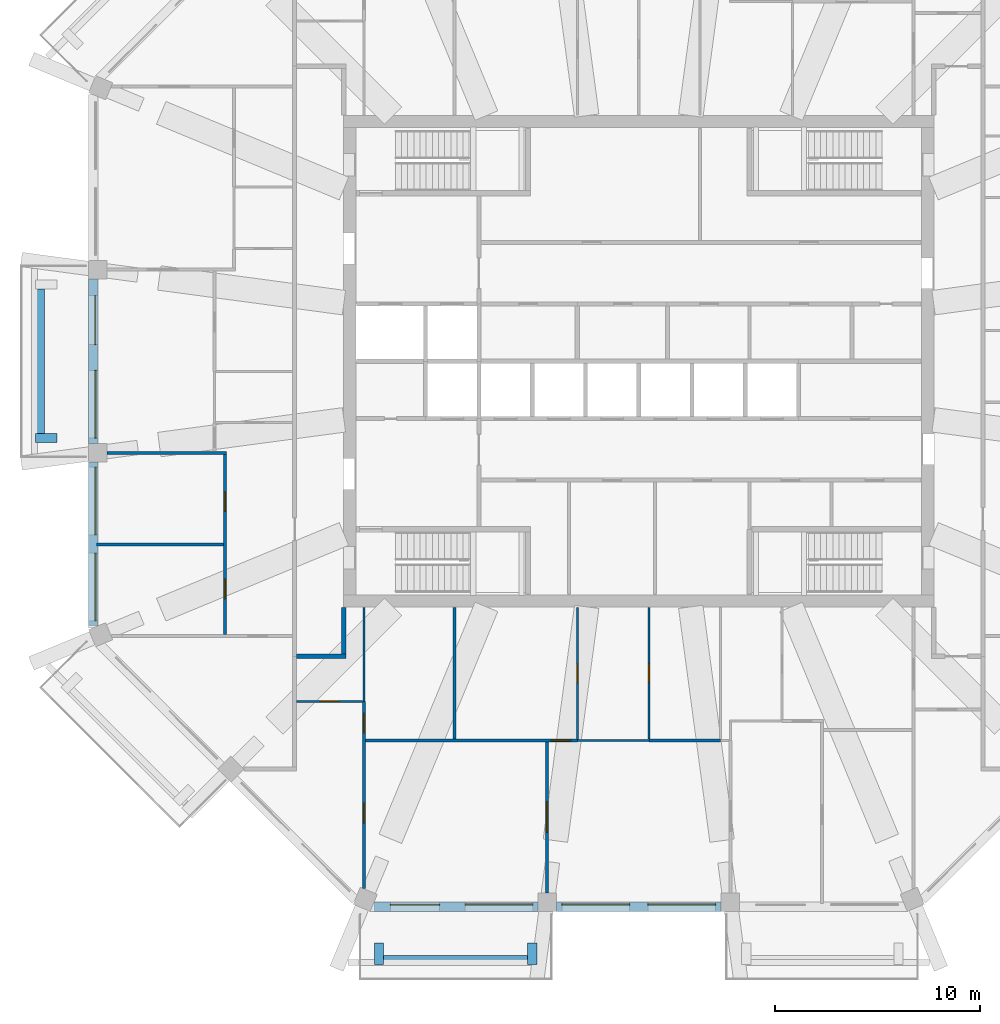
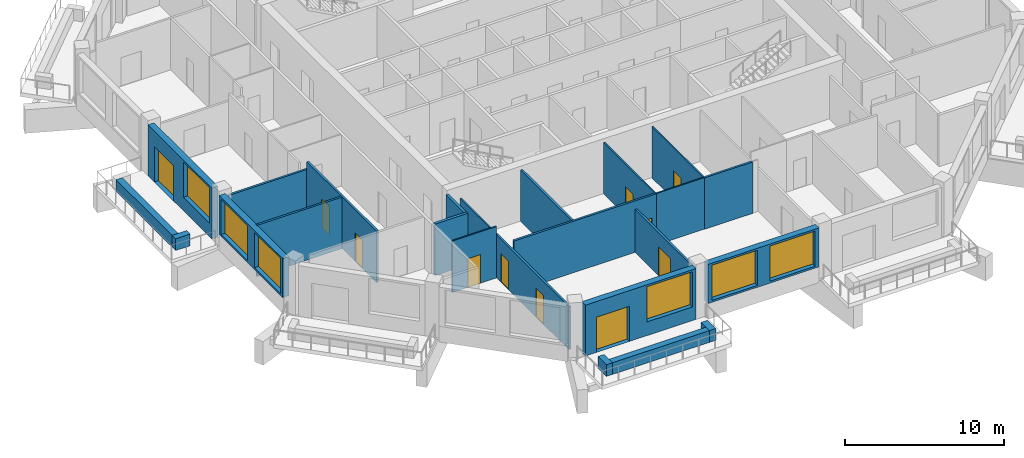
# One storey, part 3 of 12: 24 walls, 11 doors, 6 windows, 17 openings.
"""IFC4 building model written with IfcOpenShell, lengths in metres."""

from ifc_helpers import new_model, si_unit, direction, frame, frame_2d, origin, place, context, subcontext, project, spatial, rectangle, extrude, material, layer, layer_set, type_object, element, fill, save


model = new_model("IFC4")

# Units and contexts
model_context = context("Model", 3, precision=1e-05, world=origin(), true_north=direction((0.0, 1.0)))
body_context = subcontext(model_context, "Body", "Model", "MODEL_VIEW")
ifc_project = project(units=[si_unit("LENGTHUNIT", "METRE"), si_unit("AREAUNIT", "SQUARE_METRE"), si_unit("VOLUMEUNIT", "CUBIC_METRE"), si_unit("PLANEANGLEUNIT", "RADIAN"), si_unit("MASSUNIT", "GRAM", prefix="KILO")], contexts=[model_context])

# Site, building, storey
site_placement = place(None, origin())
site = spatial("IfcSite", under=ifc_project, at=site_placement, CompositionType="ELEMENT")
building_placement = place(site_placement, origin())
building = spatial("IfcBuilding", under=site, at=building_placement, Name="Msitu Wima Residences", CompositionType="ELEMENT")
storey_placement = place(building_placement, frame((0.0, 0.0, 213.89990234375)))
storey = spatial("IfcBuildingStorey", under=building, at=storey_placement, Name="L49", CompositionType="ELEMENT", Elevation=213.89990234375)

# Walls
ifc_material_1 = material(Name="Facing brick")
ifc_layer_1 = layer(ifc_material_1, 0.06494140625, Name="Facing brick")
ifc_material_2 = material(Name="Concrete C40/50", Category="concrete")
ifc_layer_2 = layer(ifc_material_2, 0.156005859375, Name="Concrete C40/50")
ifc_material_3 = material(Name="Waterproofing membrane")
ifc_layer_3 = layer(ifc_material_3, 0.00390625, Name="Waterproofing membrane")
ifc_material_4 = material(Name="Planting soil and planting")
ifc_layer_4 = layer(ifc_material_4, 0.22509765625, Name="Planting soil and planting")
ifc_layer_set_1 = layer_set([ifc_layer_1, ifc_layer_2, ifc_layer_3, ifc_layer_4], Name="Concrete C40/50")
wall_type_1 = type_object("IfcWallType", Name="Balcony planter PLANTER PL450", PredefinedType="USERDEFINED", material=ifc_layer_set_1)
wall_1_placement = place(storey_placement, frame((-29.22509765625, 3.5185546875, 0.0), z_axis=(0.0, 0.0, 1.0), x_axis=(0.0, -1.0, 0.0)))
element("IfcWall", 1, at=wall_1_placement, inside=storey, type_object=wall_type_1, Name="Balcony planter W1 L49", ObjectType="PLANTER", PredefinedType="USERDEFINED", context=body_context, shape_type="SweptSolid", body=[
    extrude(rectangle(XDim=7.037109375, YDim=0.449951171875, at=frame_2d((3.5185546875, 0.0))), origin(), (0.0, 0.0, 1.0), 0.900146484375),
])
wall_2_placement = place(storey_placement, frame((-28.39990234375, -3.74365234375, 0.0), z_axis=(0.0, 0.0, 1.0), x_axis=(-1.0, 0.0, 0.0)))
element("IfcWall", 2, at=wall_2_placement, inside=storey, type_object=wall_type_1, Name="Balcony planter W1 L49", ObjectType="PLANTER", PredefinedType="USERDEFINED", context=body_context, shape_type="SweptSolid", body=[
    extrude(rectangle(XDim=1.050048828125, YDim=0.449951171875, at=frame_2d((0.52490234375, 0.0))), origin(), (0.0, 0.0, 1.0), 0.900146484375),
])
wall_3_placement = place(storey_placement, frame((-12.455810546875, -29.22509765625, 0.0), z_axis=(0.0, 0.0, 1.0), x_axis=(1.0, 0.0, 0.0)))
element("IfcWall", 3, at=wall_3_placement, inside=storey, type_object=wall_type_1, Name="Balcony planter S0 L49", ObjectType="PLANTER", PredefinedType="USERDEFINED", context=body_context, shape_type="SweptSolid", body=[
    extrude(rectangle(XDim=7.037109375, YDim=0.449951171875, at=frame_2d((3.5185546875, 0.0))), origin(), (0.0, 0.0, 1.0), 0.900146484375),
])
for number, where, z_axis, x_axis, name in (
    (4, (-12.680908203125, -28.39990234375, 0.0), (0.0, 0.0, 1.0), (0.0, -1.0, 0.0), "Balcony planter S0 L49"),
    (5, (-5.193603515625, -28.39990234375, 0.0), (0.0, 0.0, 1.0), (0.0, -1.0, 0.0), "Balcony planter S0 L49"),
):
    element("IfcWall", number, at=place(storey_placement, frame(where, z_axis=z_axis, x_axis=x_axis)), inside=storey, type_object=wall_type_1, Name=name, ObjectType="PLANTER", PredefinedType="USERDEFINED", context=body_context, shape_type="SweptSolid", body=[
        extrude(rectangle(XDim=1.050048828125, YDim=0.449951171875, at=frame_2d((0.52490234375, 0.0))), origin(), (0.0, 0.0, 1.0), 0.900146484375),
    ])

# Wall, openings, door, window
ifc_material_5 = material(Name="Brick (red buff mix)", Category="masonry")
ifc_layer_5 = layer(ifc_material_5, 0.449951171875)
ifc_layer_set_2 = layer_set([ifc_layer_5], Name="Brick (red buff mix)")
wall_type_2 = type_object("IfcWallType", Name="Brick infill wall BW450", PredefinedType="SOLIDWALL", material=ifc_layer_set_2)
wall_4_placement = place(storey_placement, frame((-26.625, 4.0185546875, 0.0), z_axis=(0.0, 0.0, 1.0), x_axis=(0.0, -1.0, 0.0)))
wall_4 = element("IfcWall", 6, at=wall_4_placement, inside=storey, type_object=wall_type_2, Name="Brick infill wall L49 W1", PredefinedType="SOLIDWALL", context=body_context, shape_type="SweptSolid", body=[
    extrude(rectangle(XDim=8.037109375, YDim=0.449951171875, at=frame_2d((4.0185546875, 0.0))), origin(), (0.0, 0.0, 1.0), 3.900146484375),
])
opening_1_placement = place(wall_4_placement, frame((0.809326171875, 0.0, 0.0)))
opening_1 = element("IfcOpeningElement", 7, at=opening_1_placement, cuts=wall_4, Name="Opening D49.010", PredefinedType="OPENING", context=body_context, shape_type="SweptSolid", body=[
    extrude(rectangle(XDim=2.39990234375, YDim=2.699951171875, at=frame_2d((1.199951171875, 1.35009765625))), frame((0.0, 0.23486328125, 0.0), z_axis=(0.0, -1.0, 0.0), x_axis=(1.0, 0.0, 0.0)), (0.0, 0.0, 1.0), 0.469970703125),
])
opening_2_placement = place(wall_4_placement, frame((4.46875, 0.0, 1.050048828125)))
opening_2 = element("IfcOpeningElement", 8, at=opening_2_placement, cuts=wall_4, Name="Opening W49.028", PredefinedType="OPENING", context=body_context, shape_type="SweptSolid", body=[
    extrude(rectangle(XDim=3.300048828125, YDim=2.699951171875, at=frame_2d((1.64990234375, 1.35009765625))), frame((0.0, 0.23486328125, 0.0), z_axis=(0.0, -1.0, 0.0), x_axis=(1.0, 0.0, 0.0)), (0.0, 0.0, 1.0), 0.469970703125),
])
ifc_material_6 = material(Name="Anodised aluminium, bronze finish, clear low-emissivity double glazing", Category="aluminium")
door_type_1 = type_object("IfcDoorType", Name="Balcony door D2400x2700", OperationType="SLIDING_TO_LEFT", PredefinedType="DOOR", material=ifc_material_6)
door_1_placement = place(opening_1_placement, origin())
door_1 = element("IfcDoor", 9, at=door_1_placement, inside=storey, type_object=door_type_1, Name="Balcony door L49 W1", OperationType="SINGLE_SWING_LEFT", OverallHeight=2.699951171875, OverallWidth=2.39990234375, PredefinedType="DOOR", context=body_context, shape_type="SweptSolid", body=[
    extrude(rectangle(XDim=2.39990234375, YDim=2.699951171875, at=frame_2d((1.199951171875, 1.35009765625))), frame((0.0, 0.1298828125, 0.0), z_axis=(0.0, -1.0, 0.0), x_axis=(1.0, 0.0, 0.0)), (0.0, 0.0, 1.0), 0.050048828125),
])
fill(opening_1, door_1)
window_type = type_object("IfcWindowType", Name="Window W3300x2700", PartitioningType="DOUBLE_PANEL_VERTICAL", PredefinedType="WINDOW", material=ifc_material_6)
window_1_placement = place(opening_2_placement, origin())
window_1 = element("IfcWindow", 10, at=window_1_placement, inside=storey, type_object=window_type, Name="Window L49 W1.2", OverallHeight=2.699951171875, OverallWidth=3.300048828125, PartitioningType="SINGLE_PANEL", PredefinedType="WINDOW", context=body_context, shape_type="SweptSolid", body=[
    extrude(rectangle(XDim=3.300048828125, YDim=2.699951171875, at=frame_2d((1.64990234375, 1.35009765625))), frame((0.0, 0.135009765625, 0.0), z_axis=(0.0, -1.0, 0.0), x_axis=(1.0, 0.0, 0.0)), (0.0, 0.0, 1.0), 0.06005859375),
])
fill(opening_2, window_1)

# Wall, openings, windows
wall_5_placement = place(storey_placement, frame((-26.625, -4.918701171875, 0.900146484375), z_axis=(0.0, 0.0, 1.0), x_axis=(0.0, -1.0, 0.0)))
wall_5 = element("IfcWall", 11, at=wall_5_placement, inside=storey, type_object=wall_type_2, Name="Brick infill wall L49 W2", PredefinedType="SOLIDWALL", context=body_context, shape_type="SweptSolid", body=[
    extrude(rectangle(XDim=8.0, YDim=0.449951171875, at=frame_2d((4.0, 0.0))), origin(), (0.0, 0.0, 1.0), 3.0),
])
opening_3_placement = place(wall_5_placement, frame((0.25, 0.0, 0.14990234375)))
opening_3 = element("IfcOpeningElement", 12, at=opening_3_placement, cuts=wall_5, Name="Opening W49.029", PredefinedType="OPENING", context=body_context, shape_type="SweptSolid", body=[
    extrude(rectangle(XDim=3.300048828125, YDim=2.699951171875, at=frame_2d((1.64990234375, 1.35009765625))), frame((0.0, 0.23486328125, 0.0), z_axis=(0.0, -1.0, 0.0), x_axis=(1.0, 0.0, 0.0)), (0.0, 0.0, 1.0), 0.469970703125),
])
opening_4_placement = place(wall_5_placement, frame((4.4501953125, 0.0, 0.14990234375)))
opening_4 = element("IfcOpeningElement", 13, at=opening_4_placement, cuts=wall_5, Name="Opening W49.030", PredefinedType="OPENING", context=body_context, shape_type="SweptSolid", body=[
    extrude(rectangle(XDim=3.300048828125, YDim=2.699951171875, at=frame_2d((1.64990234375, 1.35009765625))), frame((0.0, 0.23486328125, 0.0), z_axis=(0.0, -1.0, 0.0), x_axis=(1.0, 0.0, 0.0)), (0.0, 0.0, 1.0), 0.469970703125),
])
window_2_placement = place(opening_3_placement, origin())
window_2 = element("IfcWindow", 14, at=window_2_placement, inside=storey, type_object=window_type, Name="Window L49 W2.1", OverallHeight=2.699951171875, OverallWidth=3.300048828125, PartitioningType="SINGLE_PANEL", PredefinedType="WINDOW", context=body_context, shape_type="SweptSolid", body=[
    extrude(rectangle(XDim=3.300048828125, YDim=2.699951171875, at=frame_2d((1.64990234375, 1.35009765625))), frame((0.0, 0.135009765625, 0.0), z_axis=(0.0, -1.0, 0.0), x_axis=(1.0, 0.0, 0.0)), (0.0, 0.0, 1.0), 0.06005859375),
])
fill(opening_3, window_2)
window_3_placement = place(opening_4_placement, origin())
window_3 = element("IfcWindow", 15, at=window_3_placement, inside=storey, type_object=window_type, Name="Window L49 W2.2", OverallHeight=2.699951171875, OverallWidth=3.300048828125, PartitioningType="SINGLE_PANEL", PredefinedType="WINDOW", context=body_context, shape_type="SweptSolid", body=[
    extrude(rectangle(XDim=3.300048828125, YDim=2.699951171875, at=frame_2d((1.64990234375, 1.35009765625))), frame((0.0, 0.135009765625, 0.0), z_axis=(0.0, -1.0, 0.0), x_axis=(1.0, 0.0, 0.0)), (0.0, 0.0, 1.0), 0.06005859375),
])
fill(opening_4, window_3)

# Wall, openings, door, window
wall_6_placement = place(storey_placement, frame((-12.918701171875, -26.625, 0.0), z_axis=(0.0, 0.0, 1.0), x_axis=(1.0, 0.0, 0.0)))
wall_6 = element("IfcWall", 16, at=wall_6_placement, inside=storey, type_object=wall_type_2, Name="Brick infill wall L49 S0", PredefinedType="SOLIDWALL", context=body_context, shape_type="SweptSolid", body=[
    extrude(rectangle(XDim=8.0, YDim=0.449951171875, at=frame_2d((4.0, 0.0))), origin(), (0.0, 0.0, 1.0), 3.900146484375),
])
opening_5_placement = place(wall_6_placement, frame((0.800048828125, 0.0, 0.0)))
opening_5 = element("IfcOpeningElement", 17, at=opening_5_placement, cuts=wall_6, Name="Opening D49.006", PredefinedType="OPENING", context=body_context, shape_type="SweptSolid", body=[
    extrude(rectangle(XDim=2.39990234375, YDim=2.699951171875, at=frame_2d((1.199951171875, 1.35009765625))), frame((0.0, 0.23486328125, 0.0), z_axis=(0.0, -1.0, 0.0), x_axis=(1.0, 0.0, 0.0)), (0.0, 0.0, 1.0), 0.469970703125),
])
opening_6_placement = place(wall_6_placement, frame((4.4501953125, 0.0, 1.050048828125)))
opening_6 = element("IfcOpeningElement", 18, at=opening_6_placement, cuts=wall_6, Name="Opening W49.016", PredefinedType="OPENING", context=body_context, shape_type="SweptSolid", body=[
    extrude(rectangle(XDim=3.300048828125, YDim=2.699951171875, at=frame_2d((1.64990234375, 1.35009765625))), frame((0.0, 0.23486328125, 0.0), z_axis=(0.0, -1.0, 0.0), x_axis=(1.0, 0.0, 0.0)), (0.0, 0.0, 1.0), 0.469970703125),
])
door_2_placement = place(opening_5_placement, origin())
door_2 = element("IfcDoor", 19, at=door_2_placement, inside=storey, type_object=door_type_1, Name="Balcony door L49 S0", OperationType="SINGLE_SWING_LEFT", OverallHeight=2.699951171875, OverallWidth=2.39990234375, PredefinedType="DOOR", context=body_context, shape_type="SweptSolid", body=[
    extrude(rectangle(XDim=2.39990234375, YDim=2.699951171875, at=frame_2d((1.199951171875, 1.35009765625))), frame((0.0, 0.1298828125, 0.0), z_axis=(0.0, -1.0, 0.0), x_axis=(1.0, 0.0, 0.0)), (0.0, 0.0, 1.0), 0.050048828125),
])
fill(opening_5, door_2)
window_4_placement = place(opening_6_placement, origin())
window_4 = element("IfcWindow", 20, at=window_4_placement, inside=storey, type_object=window_type, Name="Window L49 S0.2", OverallHeight=2.699951171875, OverallWidth=3.300048828125, PartitioningType="SINGLE_PANEL", PredefinedType="WINDOW", context=body_context, shape_type="SweptSolid", body=[
    extrude(rectangle(XDim=3.300048828125, YDim=2.699951171875, at=frame_2d((1.64990234375, 1.35009765625))), frame((0.0, 0.135009765625, 0.0), z_axis=(0.0, -1.0, 0.0), x_axis=(1.0, 0.0, 0.0)), (0.0, 0.0, 1.0), 0.06005859375),
])
fill(opening_6, window_4)

# Wall, openings, windows
wall_7_placement = place(storey_placement, frame((-4.0185546875, -26.625, 0.900146484375), z_axis=(0.0, 0.0, 1.0), x_axis=(1.0, 0.0, 0.0)))
wall_7 = element("IfcWall", 21, at=wall_7_placement, inside=storey, type_object=wall_type_2, Name="Brick infill wall L49 S1", PredefinedType="SOLIDWALL", context=body_context, shape_type="SweptSolid", body=[
    extrude(rectangle(XDim=8.037109375, YDim=0.449951171875, at=frame_2d((4.0185546875, 0.0))), origin(), (0.0, 0.0, 1.0), 3.0),
])
opening_7_placement = place(wall_7_placement, frame((0.2685546875, 0.0, 0.14990234375)))
opening_7 = element("IfcOpeningElement", 22, at=opening_7_placement, cuts=wall_7, Name="Opening W49.017", PredefinedType="OPENING", context=body_context, shape_type="SweptSolid", body=[
    extrude(rectangle(XDim=3.300048828125, YDim=2.699951171875, at=frame_2d((1.64990234375, 1.35009765625))), frame((0.0, 0.23486328125, 0.0), z_axis=(0.0, -1.0, 0.0), x_axis=(1.0, 0.0, 0.0)), (0.0, 0.0, 1.0), 0.469970703125),
])
opening_8_placement = place(wall_7_placement, frame((4.46875, 0.0, 0.14990234375)))
opening_8 = element("IfcOpeningElement", 23, at=opening_8_placement, cuts=wall_7, Name="Opening W49.018", PredefinedType="OPENING", context=body_context, shape_type="SweptSolid", body=[
    extrude(rectangle(XDim=3.300048828125, YDim=2.699951171875, at=frame_2d((1.64990234375, 1.35009765625))), frame((0.0, 0.23486328125, 0.0), z_axis=(0.0, -1.0, 0.0), x_axis=(1.0, 0.0, 0.0)), (0.0, 0.0, 1.0), 0.469970703125),
])
window_5_placement = place(opening_7_placement, origin())
window_5 = element("IfcWindow", 24, at=window_5_placement, inside=storey, type_object=window_type, Name="Window L49 S1.1", OverallHeight=2.699951171875, OverallWidth=3.300048828125, PartitioningType="SINGLE_PANEL", PredefinedType="WINDOW", context=body_context, shape_type="SweptSolid", body=[
    extrude(rectangle(XDim=3.300048828125, YDim=2.699951171875, at=frame_2d((1.64990234375, 1.35009765625))), frame((0.0, 0.135009765625, 0.0), z_axis=(0.0, -1.0, 0.0), x_axis=(1.0, 0.0, 0.0)), (0.0, 0.0, 1.0), 0.06005859375),
])
fill(opening_7, window_5)
window_6_placement = place(opening_8_placement, origin())
window_6 = element("IfcWindow", 25, at=window_6_placement, inside=storey, type_object=window_type, Name="Window L49 S1.2", OverallHeight=2.699951171875, OverallWidth=3.300048828125, PartitioningType="SINGLE_PANEL", PredefinedType="WINDOW", context=body_context, shape_type="SweptSolid", body=[
    extrude(rectangle(XDim=3.300048828125, YDim=2.699951171875, at=frame_2d((1.64990234375, 1.35009765625))), frame((0.0, 0.135009765625, 0.0), z_axis=(0.0, -1.0, 0.0), x_axis=(1.0, 0.0, 0.0)), (0.0, 0.0, 1.0), 0.06005859375),
])
fill(opening_8, window_6)

# Walls
ifc_material_7 = material(Name="Plaster")
ifc_layer_6 = layer(ifc_material_7, 0.011962890625, Name="Plaster")
ifc_material_8 = material(Name="Concrete blockwork", Category="masonry")
ifc_layer_7 = layer(ifc_material_8, 0.176025390625, Name="Concrete blockwork")
ifc_layer_8 = layer(ifc_material_7, 0.011962890625, Name="Plaster")
ifc_layer_set_3 = layer_set([ifc_layer_6, ifc_layer_7, ifc_layer_8], Name="Concrete blockwork")
wall_type_3 = type_object("IfcWallType", Name="Corridor wall FW200", PredefinedType="PARTITIONING", material=ifc_layer_set_3)
wall_8_placement = place(storey_placement, frame((-16.699951171875, -14.39990234375, 0.0), z_axis=(0.0, 0.0, 1.0), x_axis=(1.0, 0.0, 0.0)))
element("IfcWall", 26, at=wall_8_placement, inside=storey, type_object=wall_type_3, Name="Corridor wall", PredefinedType="PARTITIONING", context=body_context, shape_type="SweptSolid", body=[
    extrude(rectangle(XDim=2.39990234375, YDim=0.199951171875, at=frame_2d((1.199951171875, 0.0))), origin(), (0.0, 0.0, 1.0), 3.9501953125),
])
wall_9_placement = place(storey_placement, frame((-14.39990234375, -14.300048828125, 0.0), z_axis=(0.0, 0.0, 1.0), x_axis=(0.0, 1.0, 0.0)))
element("IfcWall", 27, at=wall_9_placement, inside=storey, type_object=wall_type_3, Name="Corridor wall", PredefinedType="PARTITIONING", context=body_context, shape_type="SweptSolid", body=[
    extrude(rectangle(XDim=2.27001953125, YDim=0.199951171875, at=frame_2d((1.135009765625, 0.0))), origin(), (0.0, 0.0, 1.0), 3.9501953125),
])
ifc_layer_9 = layer(ifc_material_7, 0.011962890625, Name="Plaster")
ifc_layer_10 = layer(ifc_material_8, 0.1259765625, Name="Concrete blockwork")
ifc_layer_11 = layer(ifc_material_7, 0.011962890625, Name="Plaster")
ifc_layer_set_4 = layer_set([ifc_layer_9, ifc_layer_10, ifc_layer_11], Name="Concrete blockwork")
wall_type_4 = type_object("IfcWallType", Name="Partition PW150", PredefinedType="PARTITIONING", material=ifc_layer_set_4)
wall_10_placement = place(storey_placement, frame((-26.455078125, -8.937255859375, 0.0), z_axis=(0.0, 0.0, 1.0), x_axis=(1.0, 0.0, 0.0)))
element("IfcWall", 28, at=wall_10_placement, inside=storey, type_object=wall_type_4, Name="Partition", PredefinedType="PARTITIONING", context=body_context, shape_type="SweptSolid", body=[
    extrude(rectangle(XDim=6.18017578125, YDim=0.14990234375, at=frame_2d((3.090087890625, 0.0))), origin(), (0.0, 0.0, 1.0), 3.9501953125),
])
wall_11_placement = place(storey_placement, frame((-25.949951171875, -4.46875, 0.0), z_axis=(0.0, 0.0, 1.0), x_axis=(1.0, 0.0, 0.0)))
element("IfcWall", 29, at=wall_11_placement, inside=storey, type_object=wall_type_4, Name="Partition", PredefinedType="PARTITIONING", context=body_context, shape_type="SweptSolid", body=[
    extrude(rectangle(XDim=5.824951171875, YDim=0.14990234375, at=frame_2d((2.91259765625, 0.0))), origin(), (0.0, 0.0, 1.0), 3.35009765625),
])

# Wall, openings, doors
wall_12_placement = place(storey_placement, frame((-20.199951171875, -13.330810546875, 0.0), z_axis=(0.0, 0.0, 1.0), x_axis=(0.0, 1.0, 0.0)))
wall_12 = element("IfcWall", 30, at=wall_12_placement, inside=storey, type_object=wall_type_4, Name="Partition", PredefinedType="PARTITIONING", context=body_context, shape_type="SweptSolid", body=[
    extrude(rectangle(XDim=8.787109375, YDim=0.14990234375, at=frame_2d((4.3935546875, 0.0))), origin(), (0.0, 0.0, 1.0), 3.9501953125),
])
opening_9_placement = place(wall_12_placement, frame((1.75, 0.0, 0.0)))
opening_9 = element("IfcOpeningElement", 31, at=opening_9_placement, cuts=wall_12, Name="Opening D49.039", PredefinedType="OPENING", context=body_context, shape_type="SweptSolid", body=[
    extrude(rectangle(XDim=0.949951171875, YDim=2.199951171875, at=frame_2d((0.47509765625, 1.10009765625))), frame((0.0, 0.0849609375, 0.0), z_axis=(0.0, -1.0, 0.0), x_axis=(1.0, 0.0, 0.0)), (0.0, 0.0, 1.0), 0.169921875),
])
opening_10_placement = place(wall_12_placement, frame((6.0, 0.0, 0.0)))
opening_10 = element("IfcOpeningElement", 32, at=opening_10_placement, cuts=wall_12, Name="Opening D49.040", PredefinedType="OPENING", context=body_context, shape_type="SweptSolid", body=[
    extrude(rectangle(XDim=0.949951171875, YDim=2.199951171875, at=frame_2d((0.47509765625, 1.10009765625))), frame((0.0, 0.0849609375, 0.0), z_axis=(0.0, -1.0, 0.0), x_axis=(1.0, 0.0, 0.0)), (0.0, 0.0, 1.0), 0.169921875),
])
ifc_material_9 = material(Name="Timber flush door", Category="wood")
door_type_2 = type_object("IfcDoorType", Name="Room door D12 950x2200", OperationType="SINGLE_SWING_LEFT", PredefinedType="DOOR", material=ifc_material_9)
door_3_placement = place(opening_9_placement, origin())
door_3 = element("IfcDoor", 33, at=door_3_placement, inside=storey, type_object=door_type_2, Name="Room door", OperationType="SINGLE_SWING_RIGHT", OverallHeight=2.199951171875, OverallWidth=0.949951171875, PredefinedType="DOOR", context=body_context, shape_type="SweptSolid", body=[
    extrude(rectangle(XDim=0.949951171875, YDim=2.199951171875, at=frame_2d((0.47509765625, 1.10009765625))), frame((0.0, 0.02490234375, 0.0), z_axis=(0.0, -1.0, 0.0), x_axis=(1.0, 0.0, 0.0)), (0.0, 0.0, 1.0), 0.050048828125),
])
fill(opening_9, door_3)
door_4_placement = place(opening_10_placement, origin())
door_4 = element("IfcDoor", 34, at=door_4_placement, inside=storey, type_object=door_type_2, Name="Room door", OperationType="SINGLE_SWING_LEFT", OverallHeight=2.199951171875, OverallWidth=0.949951171875, PredefinedType="DOOR", context=body_context, shape_type="SweptSolid", body=[
    extrude(rectangle(XDim=0.949951171875, YDim=2.199951171875, at=frame_2d((0.47509765625, 1.10009765625))), frame((0.0, 0.02490234375, 0.0), z_axis=(0.0, -1.0, 0.0), x_axis=(1.0, 0.0, 0.0)), (0.0, 0.0, 1.0), 0.050048828125),
])
fill(opening_10, door_4)

wall_13_placement = place(storey_placement, frame((-13.406005859375, -25.731201171875, 0.0), z_axis=(0.0, 0.0, 1.0), x_axis=(0.0, 1.0, 0.0)))
wall_13 = element("IfcWall", 35, at=wall_13_placement, inside=storey, type_object=wall_type_4, Name="Partition", PredefinedType="PARTITIONING", context=body_context, shape_type="SweptSolid", body=[
    extrude(rectangle(XDim=9.131103515625, YDim=0.14990234375, at=frame_2d((4.5654296875, 0.0))), origin(), (0.0, 0.0, 1.0), 3.300048828125),
])
opening_11_placement = place(wall_13_placement, frame((3.199951171875, 0.0, 0.0)))
opening_11 = element("IfcOpeningElement", 36, at=opening_11_placement, cuts=wall_13, Name="Opening D49.049", PredefinedType="OPENING", context=body_context, shape_type="SweptSolid", body=[
    extrude(rectangle(XDim=0.949951171875, YDim=2.199951171875, at=frame_2d((0.47509765625, 1.10009765625))), frame((0.0, 0.0849609375, 0.0), z_axis=(0.0, -1.0, 0.0), x_axis=(1.0, 0.0, 0.0)), (0.0, 0.0, 1.0), 0.169921875),
])
opening_12_placement = place(wall_13_placement, frame((7.60009765625, 0.0, 0.0)))
opening_12 = element("IfcOpeningElement", 37, at=opening_12_placement, cuts=wall_13, Name="Opening D49.050", PredefinedType="OPENING", context=body_context, shape_type="SweptSolid", body=[
    extrude(rectangle(XDim=0.949951171875, YDim=2.199951171875, at=frame_2d((0.47509765625, 1.10009765625))), frame((0.0, 0.0849609375, 0.0), z_axis=(0.0, -1.0, 0.0), x_axis=(1.0, 0.0, 0.0)), (0.0, 0.0, 1.0), 0.169921875),
])
door_5_placement = place(opening_11_placement, origin())
door_5 = element("IfcDoor", 38, at=door_5_placement, inside=storey, type_object=door_type_2, Name="Room door", OperationType="SINGLE_SWING_RIGHT", OverallHeight=2.199951171875, OverallWidth=0.949951171875, PredefinedType="DOOR", context=body_context, shape_type="SweptSolid", body=[
    extrude(rectangle(XDim=0.949951171875, YDim=2.199951171875, at=frame_2d((0.47509765625, 1.10009765625))), frame((0.0, 0.02490234375, 0.0), z_axis=(0.0, -1.0, 0.0), x_axis=(1.0, 0.0, 0.0)), (0.0, 0.0, 1.0), 0.050048828125),
])
fill(opening_11, door_5)
door_6_placement = place(opening_12_placement, origin())
door_6 = element("IfcDoor", 39, at=door_6_placement, inside=storey, type_object=door_type_2, Name="Room door", OperationType="SINGLE_SWING_RIGHT", OverallHeight=2.199951171875, OverallWidth=0.949951171875, PredefinedType="DOOR", context=body_context, shape_type="SweptSolid", body=[
    extrude(rectangle(XDim=0.949951171875, YDim=2.199951171875, at=frame_2d((0.47509765625, 1.10009765625))), frame((0.0, 0.02490234375, 0.0), z_axis=(0.0, -1.0, 0.0), x_axis=(1.0, 0.0, 0.0)), (0.0, 0.0, 1.0), 0.050048828125),
])
fill(opening_12, door_6)

# Wall, opening, door
wall_14_placement = place(storey_placement, frame((-13.330810546875, -18.5, 0.0), z_axis=(0.0, 0.0, 1.0), x_axis=(1.0, 0.0, 0.0)))
wall_14 = element("IfcWall", 40, at=wall_14_placement, inside=storey, type_object=wall_type_4, Name="Partition", PredefinedType="PARTITIONING", context=body_context, shape_type="SweptSolid", body=[
    extrude(rectangle(XDim=10.330810546875, YDim=0.14990234375, at=frame_2d((5.16552734375, 0.0))), origin(), (0.0, 0.0, 1.0), 3.9501953125),
])
opening_13_placement = place(wall_14_placement, frame((9.050048828125, 0.0, 0.0)))
opening_13 = element("IfcOpeningElement", 41, at=opening_13_placement, cuts=wall_14, Name="Opening D49.057", PredefinedType="OPENING", context=body_context, shape_type="SweptSolid", body=[
    extrude(rectangle(XDim=0.949951171875, YDim=2.199951171875, at=frame_2d((0.47509765625, 1.10009765625))), frame((0.0, 0.0849609375, 0.0), z_axis=(0.0, -1.0, 0.0), x_axis=(1.0, 0.0, 0.0)), (0.0, 0.0, 1.0), 0.169921875),
])
door_7_placement = place(opening_13_placement, origin())
door_7 = element("IfcDoor", 42, at=door_7_placement, inside=storey, type_object=door_type_2, Name="Room door", OperationType="SINGLE_SWING_RIGHT", OverallHeight=2.199951171875, OverallWidth=0.949951171875, PredefinedType="DOOR", context=body_context, shape_type="SweptSolid", body=[
    extrude(rectangle(XDim=0.949951171875, YDim=2.199951171875, at=frame_2d((0.47509765625, 1.10009765625))), frame((0.0, 0.02490234375, 0.0), z_axis=(0.0, -1.0, 0.0), x_axis=(1.0, 0.0, 0.0)), (0.0, 0.0, 1.0), 0.050048828125),
])
fill(opening_13, door_7)

# Wall
wall_15_placement = place(storey_placement, frame((-9.0, -18.425048828125, 0.0), z_axis=(0.0, 0.0, 1.0), x_axis=(0.0, 1.0, 0.0)))
element("IfcWall", 43, at=wall_15_placement, inside=storey, type_object=wall_type_4, Name="Partition", PredefinedType="PARTITIONING", context=body_context, shape_type="SweptSolid", body=[
    extrude(rectangle(XDim=6.39501953125, YDim=0.14990234375, at=frame_2d((3.197509765625, 0.0))), origin(), (0.0, 0.0, 1.0), 3.9501953125),
])

# Wall, opening, door
wall_16_placement = place(storey_placement, frame((-4.46875, -25.949951171875, 0.0), z_axis=(0.0, 0.0, 1.0), x_axis=(0.0, 1.0, 0.0)))
wall_16 = element("IfcWall", 44, at=wall_16_placement, inside=storey, type_object=wall_type_4, Name="Partition", PredefinedType="PARTITIONING", context=body_context, shape_type="SweptSolid", body=[
    extrude(rectangle(XDim=7.375, YDim=0.14990234375, at=frame_2d((3.6875, 0.0))), origin(), (0.0, 0.0, 1.0), 3.300048828125),
])
opening_14_placement = place(wall_16_placement, frame((2.949951171875, 0.0, 0.0)))
opening_14 = element("IfcOpeningElement", 45, at=opening_14_placement, cuts=wall_16, Name="Opening D49.048", PredefinedType="OPENING", context=body_context, shape_type="SweptSolid", body=[
    extrude(rectangle(XDim=1.5, YDim=2.199951171875, at=frame_2d((0.75, 1.10009765625))), frame((0.0, 0.0849609375, 0.0), z_axis=(0.0, -1.0, 0.0), x_axis=(1.0, 0.0, 0.0)), (0.0, 0.0, 1.0), 0.169921875),
])
ifc_material_10 = material(Name="Timber double door", Category="wood")
door_type_3 = type_object("IfcDoorType", Name="Double door D04 1500x2200", OperationType="DOUBLE_DOOR_SINGLE_SWING", PredefinedType="DOOR", material=ifc_material_10)
door_8_placement = place(opening_14_placement, origin())
door_8 = element("IfcDoor", 46, at=door_8_placement, inside=storey, type_object=door_type_3, Name="Double door", OperationType="DOUBLE_DOOR_SINGLE_SWING", OverallHeight=2.199951171875, OverallWidth=1.5, PredefinedType="DOOR", context=body_context, shape_type="SweptSolid", body=[
    extrude(rectangle(XDim=1.5, YDim=2.199951171875, at=frame_2d((0.75, 1.10009765625))), frame((0.0, 0.02490234375, 0.0), z_axis=(0.0, -1.0, 0.0), x_axis=(1.0, 0.0, 0.0)), (0.0, 0.0, 1.0), 0.050048828125),
])
fill(opening_14, door_8)

# Wall
wall_17_placement = place(storey_placement, frame((0.5, -18.5, 0.0), z_axis=(0.0, 0.0, 1.0), x_axis=(1.0, 0.0, 0.0)))
element("IfcWall", 47, at=wall_17_placement, inside=storey, type_object=wall_type_4, Name="Partition", PredefinedType="PARTITIONING", context=body_context, shape_type="SweptSolid", body=[
    extrude(rectangle(XDim=3.5, YDim=0.14990234375, at=frame_2d((1.75, 0.0))), origin(), (0.0, 0.0, 1.0), 3.9501953125),
])

# Wall, opening, door
ifc_material_11 = material(Name="Ceramic tiles")
ifc_layer_12 = layer(ifc_material_11, 0.008056640625, Name="Ceramic tiles")
ifc_material_12 = material(Name="Moisture-resistant board")
ifc_layer_13 = layer(ifc_material_12, 0.012451171875, Name="Moisture-resistant board")
ifc_material_13 = material(Name="Light-gauge stud framing with mineral wool")
ifc_layer_14 = layer(ifc_material_13, 0.06689453125, Name="Light-gauge stud framing with mineral wool")
ifc_layer_15 = layer(ifc_material_12, 0.012451171875, Name="Moisture-resistant board")
ifc_layer_set_5 = layer_set([ifc_layer_12, ifc_layer_13, ifc_layer_14, ifc_layer_15], Name="Light-gauge stud framing with mineral wool")
wall_type_5 = type_object("IfcWallType", Name="Wet wall PW100", PredefinedType="PARTITIONING", material=ifc_layer_set_5)
wall_18_placement = place(storey_placement, frame((-16.699951171875, -16.60009765625, 0.0), z_axis=(0.0, 0.0, 1.0), x_axis=(1.0, 0.0, 0.0)))
wall_18 = element("IfcWall", 48, at=wall_18_placement, inside=storey, type_object=wall_type_5, Name="Wet wall", PredefinedType="PARTITIONING", context=body_context, shape_type="SweptSolid", body=[
    extrude(rectangle(XDim=3.218994140625, YDim=0.10009765625, at=frame_2d((1.609375, 0.0))), origin(), (0.0, 0.0, 1.0), 3.9501953125),
])
opening_15_placement = place(wall_18_placement, frame((1.14990234375, 0.0, 0.0)))
opening_15 = element("IfcOpeningElement", 49, at=opening_15_placement, cuts=wall_18, Name="Opening D49.051", PredefinedType="OPENING", context=body_context, shape_type="SweptSolid", body=[
    extrude(rectangle(XDim=0.89990234375, YDim=2.199951171875, at=frame_2d((0.449951171875, 1.10009765625))), frame((0.0, 0.06005859375, 0.0), z_axis=(0.0, -1.0, 0.0), x_axis=(1.0, 0.0, 0.0)), (0.0, 0.0, 1.0), 0.1201171875),
])
ifc_material_14 = material(Name="Timber flush door, moisture resistant", Category="wood")
door_type_4 = type_object("IfcDoorType", Name="Bathroom door D03 900x2200", OperationType="SINGLE_SWING_LEFT", PredefinedType="DOOR", material=ifc_material_14)
door_9_placement = place(opening_15_placement, origin())
door_9 = element("IfcDoor", 50, at=door_9_placement, inside=storey, type_object=door_type_4, Name="Bathroom door", OperationType="SINGLE_SWING_LEFT", OverallHeight=2.199951171875, OverallWidth=0.89990234375, PredefinedType="DOOR", context=body_context, shape_type="SweptSolid", body=[
    extrude(rectangle(XDim=0.89990234375, YDim=2.199951171875, at=frame_2d((0.449951171875, 1.10009765625))), frame((0.0, 0.02490234375, 0.0), z_axis=(0.0, -1.0, 0.0), x_axis=(1.0, 0.0, 0.0)), (0.0, 0.0, 1.0), 0.050048828125),
])
fill(opening_15, door_9)

# Walls
wall_19_placement = place(storey_placement, frame((-13.406005859375, -16.60009765625, 0.0), z_axis=(0.0, 0.0, 1.0), x_axis=(0.0, 1.0, 0.0)))
element("IfcWall", 51, at=wall_19_placement, inside=storey, type_object=wall_type_5, Name="Wet wall", PredefinedType="PARTITIONING", context=body_context, shape_type="SweptSolid", body=[
    extrude(rectangle(XDim=4.570068359375, YDim=0.10009765625, at=frame_2d((2.28515625, 0.0))), origin(), (0.0, 0.0, 1.0), 3.300048828125),
])
wall_20_placement = place(storey_placement, frame((-3.0, -18.5, 0.0), z_axis=(0.0, 0.0, 1.0), x_axis=(1.0, 0.0, 0.0)))
element("IfcWall", 52, at=wall_20_placement, inside=storey, type_object=wall_type_5, Name="Wet wall", PredefinedType="PARTITIONING", context=body_context, shape_type="SweptSolid", body=[
    extrude(rectangle(XDim=3.5, YDim=0.10009765625, at=frame_2d((1.75, 0.0))), origin(), (0.0, 0.0, 1.0), 3.9501953125),
])

# Wall, opening, door
wall_21_placement = place(storey_placement, frame((-3.0, -18.449951171875, 0.0), z_axis=(0.0, 0.0, 1.0), x_axis=(0.0, 1.0, 0.0)))
wall_21 = element("IfcWall", 53, at=wall_21_placement, inside=storey, type_object=wall_type_5, Name="Wet wall", PredefinedType="PARTITIONING", context=body_context, shape_type="SweptSolid", body=[
    extrude(rectangle(XDim=6.419921875, YDim=0.10009765625, at=frame_2d((3.2099609375, 0.0))), origin(), (0.0, 0.0, 1.0), 3.9501953125),
])
opening_16_placement = place(wall_21_placement, frame((2.75, 0.0, 0.0)))
opening_16 = element("IfcOpeningElement", 54, at=opening_16_placement, cuts=wall_21, Name="Opening D49.058", PredefinedType="OPENING", context=body_context, shape_type="SweptSolid", body=[
    extrude(rectangle(XDim=0.89990234375, YDim=2.199951171875, at=frame_2d((0.449951171875, 1.10009765625))), frame((0.0, 0.06005859375, 0.0), z_axis=(0.0, -1.0, 0.0), x_axis=(1.0, 0.0, 0.0)), (0.0, 0.0, 1.0), 0.1201171875),
])
door_type_5 = type_object("IfcDoorType", Name="Service door D05 900x2200", OperationType="SINGLE_SWING_LEFT", PredefinedType="DOOR", material=ifc_material_9)
door_10_placement = place(opening_16_placement, origin())
door_10 = element("IfcDoor", 55, at=door_10_placement, inside=storey, type_object=door_type_5, Name="Service door", OperationType="SINGLE_SWING_LEFT", OverallHeight=2.199951171875, OverallWidth=0.89990234375, PredefinedType="DOOR", context=body_context, shape_type="SweptSolid", body=[
    extrude(rectangle(XDim=0.89990234375, YDim=2.199951171875, at=frame_2d((0.449951171875, 1.10009765625))), frame((0.0, 0.02490234375, 0.0), z_axis=(0.0, -1.0, 0.0), x_axis=(1.0, 0.0, 0.0)), (0.0, 0.0, 1.0), 0.050048828125),
])
fill(opening_16, door_10)

wall_22_placement = place(storey_placement, frame((0.5, -18.425048828125, 0.0), z_axis=(0.0, 0.0, 1.0), x_axis=(0.0, 1.0, 0.0)))
wall_22 = element("IfcWall", 56, at=wall_22_placement, inside=storey, type_object=wall_type_5, Name="Wet wall", PredefinedType="PARTITIONING", context=body_context, shape_type="SweptSolid", body=[
    extrude(rectangle(XDim=6.39501953125, YDim=0.10009765625, at=frame_2d((3.197509765625, 0.0))), origin(), (0.0, 0.0, 1.0), 3.9501953125),
])
opening_17_placement = place(wall_22_placement, frame((2.75, 0.0, 0.0)))
opening_17 = element("IfcOpeningElement", 57, at=opening_17_placement, cuts=wall_22, Name="Opening D49.059", PredefinedType="OPENING", context=body_context, shape_type="SweptSolid", body=[
    extrude(rectangle(XDim=0.89990234375, YDim=2.199951171875, at=frame_2d((0.449951171875, 1.10009765625))), frame((0.0, 0.06005859375, 0.0), z_axis=(0.0, -1.0, 0.0), x_axis=(1.0, 0.0, 0.0)), (0.0, 0.0, 1.0), 0.1201171875),
])
door_11_placement = place(opening_17_placement, origin())
door_11 = element("IfcDoor", 58, at=door_11_placement, inside=storey, type_object=door_type_5, Name="Service door", OperationType="SINGLE_SWING_RIGHT", OverallHeight=2.199951171875, OverallWidth=0.89990234375, PredefinedType="DOOR", context=body_context, shape_type="SweptSolid", body=[
    extrude(rectangle(XDim=0.89990234375, YDim=2.199951171875, at=frame_2d((0.449951171875, 1.10009765625))), frame((0.0, 0.02490234375, 0.0), z_axis=(0.0, -1.0, 0.0), x_axis=(1.0, 0.0, 0.0)), (0.0, 0.0, 1.0), 0.050048828125),
])
fill(opening_17, door_11)

save(model, "model.ifc")
